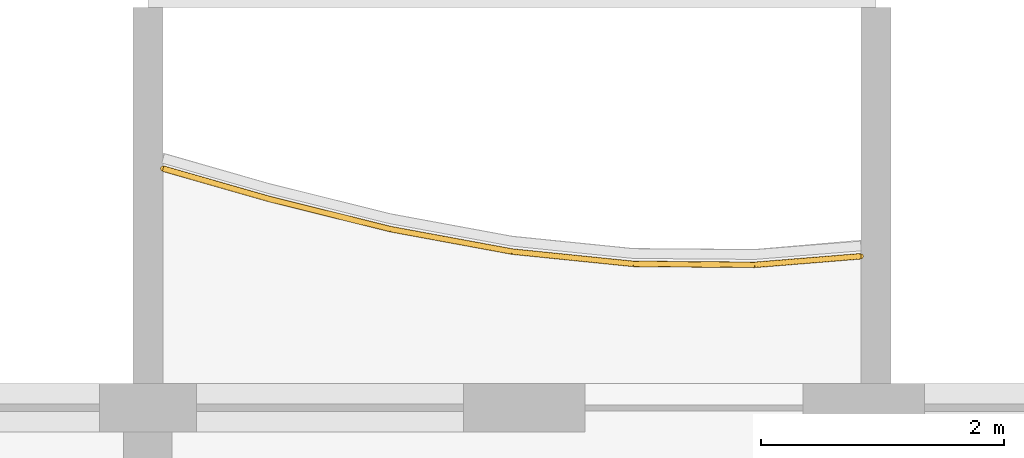
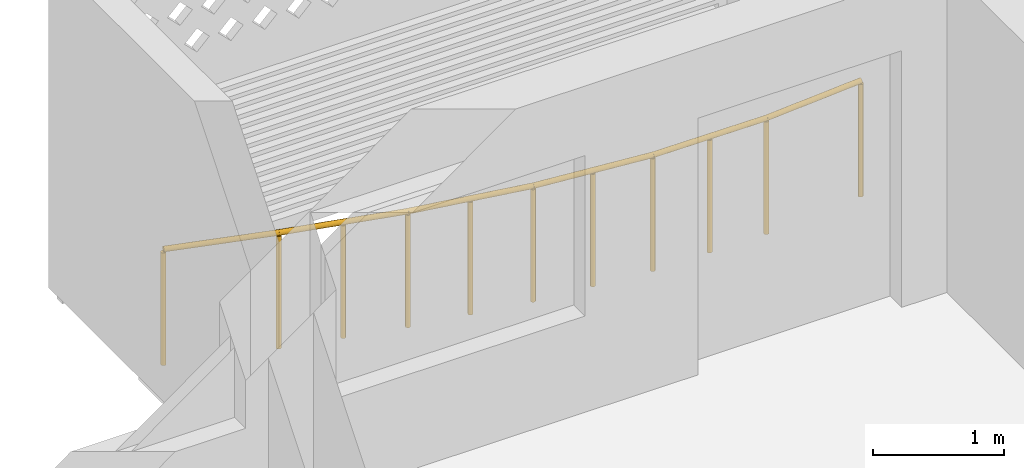
# One storey, part 26 of 38: 1 railing.
"""IFC4 building model written with IfcOpenShell, lengths in metres."""

from ifc_helpers import new_model, si_unit, direction, frame, origin, origin_2d, place, context, subcontext, project, spatial, circle, extrude, material, type_object, element, save


model = new_model("IFC4")

# Units and contexts
model_context = context("Model", 3, precision=1e-05, world=origin(), true_north=direction((0.0, 1.0)))
body_context = subcontext(model_context, "Body", "Model", "MODEL_VIEW")
ifc_project = project(units=[si_unit("LENGTHUNIT", "METRE"), si_unit("AREAUNIT", "SQUARE_METRE"), si_unit("VOLUMEUNIT", "CUBIC_METRE"), si_unit("PLANEANGLEUNIT", "RADIAN"), si_unit("MASSUNIT", "GRAM", prefix="KILO")], contexts=[model_context])

# Site, building, storey
site_placement = place(None, origin())
site = spatial("IfcSite", under=ifc_project, at=site_placement, CompositionType="ELEMENT")
building_placement = place(site_placement, origin())
building = spatial("IfcBuilding", under=site, at=building_placement, Name="Poui Terraces", CompositionType="ELEMENT")
storey_placement = place(building_placement, frame((0.0, 0.0, 46.5)))
storey = spatial("IfcBuildingStorey", under=building, at=storey_placement, Name="L12", CompositionType="ELEMENT", Elevation=46.5)

# Railing
ifc_material = material(Name="Painted steel fretwork", Category="steel")
railing_type = type_object("IfcRailingType", Name="BALCONY GUARD 1100", PredefinedType="GUARDRAIL", material=ifc_material)
railing_placement = place(storey_placement, frame((42.125, 46.771240234375, 0.0)))
element("IfcRailing", 1, at=railing_placement, inside=storey, type_object=railing_type, Name="BALCONY GUARD", PredefinedType="GUARDRAIL", context=body_context, shape_type="SweptSolid", body=[
    extrude(circle(Radius=0.02392578125, at=origin_2d()), frame((0.0, 0.0, 1.076171875), z_axis=(0.961453053843, -0.274969135097, 0.0), x_axis=(0.274969135097, 0.961453053843, 0.0)), (0.0, 0.0, 1.0), 0.91015625),
    extrude(circle(Radius=0.02392578125, at=origin_2d()), frame((0.875, -0.250244140625, 1.076171875), z_axis=(0.970476070643, -0.241197421854, 0.0), x_axis=(0.241197421854, 0.970476070643, 0.0)), (0.0, 0.0, 1.0), 1.030517578125),
    extrude(circle(Radius=0.02392578125, at=origin_2d()), frame((1.875, -0.498779296875, 1.076171875), z_axis=(0.983390092547, -0.181504616691, 0.0), x_axis=(0.181504616691, 0.983390092547, 0.0)), (0.0, 0.0, 1.0), 1.016845703125),
    extrude(circle(Radius=0.02392578125, at=origin_2d()), frame((2.875, -0.683349609375, 1.076171875), z_axis=(0.994882088655, -0.101042712129, 0.0), x_axis=(0.101042712129, 0.994882088655, 0.0)), (0.0, 0.0, 1.0), 1.005126953125),
    extrude(circle(Radius=0.02392578125, at=origin_2d()), frame((3.875, -0.784912109375, 1.076171875), z_axis=(0.999967546851, -0.008056379162, 0.0), x_axis=(0.008056379162, 0.999967546851, 0.0)), (0.0, 0.0, 1.0), 1.0),
    extrude(circle(Radius=0.02392578125, at=origin_2d()), frame((4.875, -0.79296875, 1.076171875), z_axis=(0.996742354742, 0.080651585624, 0.0), x_axis=(-0.080651585624, 0.996742354742, 0.0)), (0.0, 0.0, 1.0), 0.8779296875),
    extrude(circle(Radius=0.02099609375, at=origin_2d()), origin(), (0.0, 0.0, 1.0), 1.052001953125),
    extrude(circle(Radius=0.02099609375, at=origin_2d()), frame((0.875, -0.250244140625, 0.0)), (0.0, 0.0, 1.0), 1.052001953125),
    extrude(circle(Radius=0.02099609375, at=origin_2d()), frame((1.375, -0.37451171875, 0.0)), (0.0, 0.0, 1.0), 1.052001953125),
    extrude(circle(Radius=0.02099609375, at=origin_2d()), frame((1.875, -0.498779296875, 0.0)), (0.0, 0.0, 1.0), 1.052001953125),
    extrude(circle(Radius=0.02099609375, at=origin_2d()), frame((2.375, -0.591064453125, 0.0)), (0.0, 0.0, 1.0), 1.052001953125),
    extrude(circle(Radius=0.02099609375, at=origin_2d()), frame((2.875, -0.683349609375, 0.0)), (0.0, 0.0, 1.0), 1.052001953125),
    extrude(circle(Radius=0.02099609375, at=origin_2d()), frame((3.375, -0.734130859375, 0.0)), (0.0, 0.0, 1.0), 1.052001953125),
    extrude(circle(Radius=0.02099609375, at=origin_2d()), frame((3.875, -0.784912109375, 0.0)), (0.0, 0.0, 1.0), 1.052001953125),
    extrude(circle(Radius=0.02099609375, at=origin_2d()), frame((4.375, -0.7890625, 0.0)), (0.0, 0.0, 1.0), 1.052001953125),
    extrude(circle(Radius=0.02099609375, at=origin_2d()), frame((4.875, -0.79296875, 0.0)), (0.0, 0.0, 1.0), 1.052001953125),
    extrude(circle(Radius=0.02099609375, at=origin_2d()), frame((5.75, -0.72216796875, 0.0)), (0.0, 0.0, 1.0), 1.052001953125),
])

save(model, "model.ifc")
